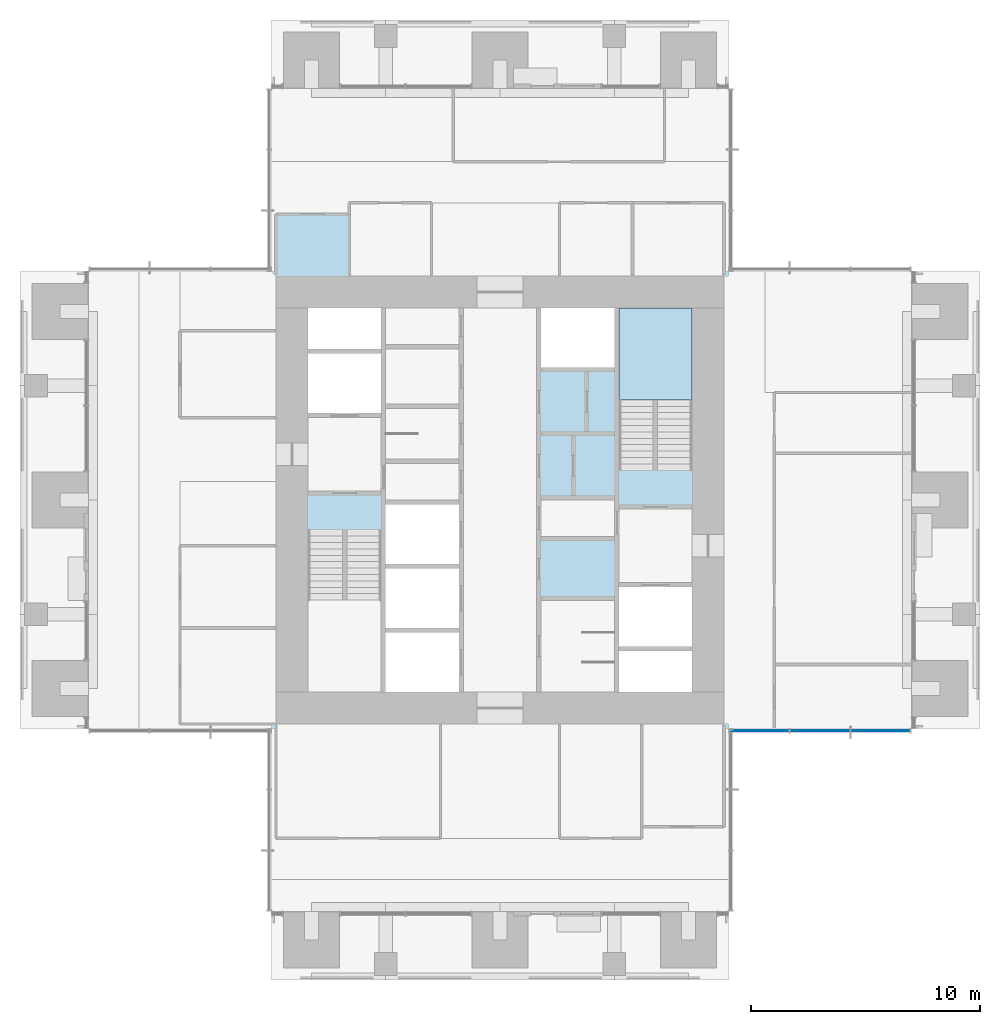
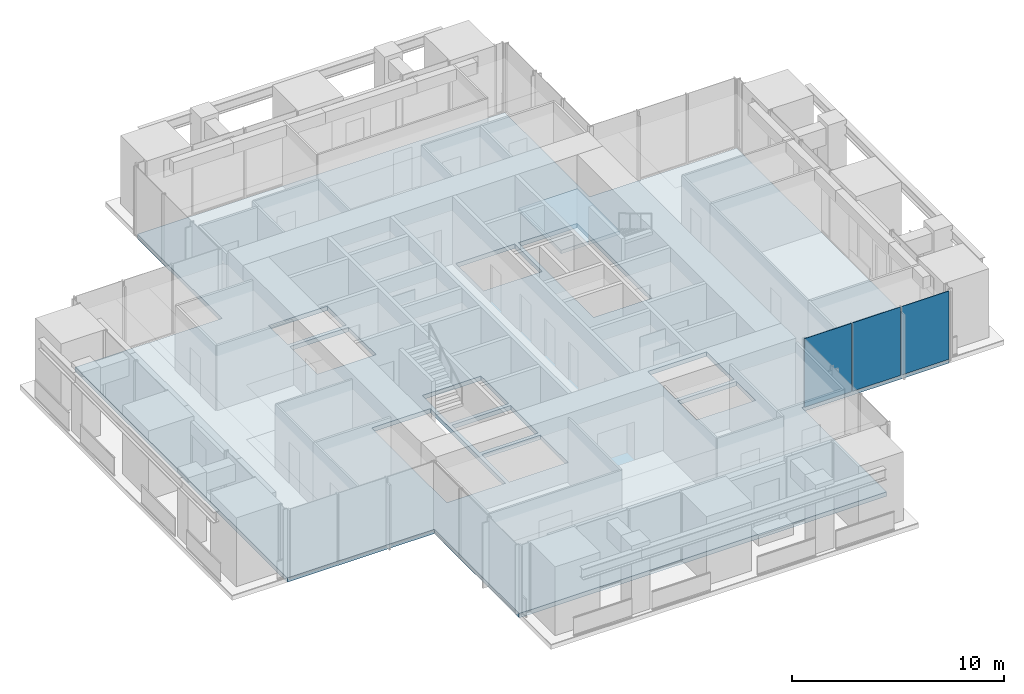
# One storey, part 9 of 17: 3 plates, 2 slabs, 2 elements without a shape of their own.
"""IFC4 building model written with IfcOpenShell, lengths in metres."""

from ifc_helpers import new_model, si_unit, direction, frame, origin, origin_2d, place, context, subcontext, project, spatial, polyline, rectangle, outline, extrude, material, layer, layer_set, type_object, element, aggregate, save


model = new_model("IFC4")

# Units and contexts
model_context = context("Model", 3, precision=1e-05, world=origin(), true_north=direction((0.0, 1.0)))
body_context = subcontext(model_context, "Body", "Model", "MODEL_VIEW")
ifc_project = project(units=[si_unit("LENGTHUNIT", "METRE"), si_unit("AREAUNIT", "SQUARE_METRE"), si_unit("VOLUMEUNIT", "CUBIC_METRE"), si_unit("PLANEANGLEUNIT", "RADIAN"), si_unit("MASSUNIT", "GRAM", prefix="KILO")], contexts=[model_context])

# Site, building, storey
site_placement = place(None, origin())
site = spatial("IfcSite", under=ifc_project, at=site_placement, CompositionType="ELEMENT")
building_placement = place(site_placement, origin())
building = spatial("IfcBuilding", under=site, at=building_placement, Name="Svetlomir Tower", CompositionType="ELEMENT")
storey_placement = place(building_placement, frame((0.0, 0.0, 178.5)))
storey = spatial("IfcBuildingStorey", under=building, at=storey_placement, Name="L42", CompositionType="ELEMENT", Elevation=178.5)

# Curtain wall, plates
ifc_material_1 = material(Name="Bronze anodised aluminium curtain wall", Category="aluminium")
curtain_wall_type = type_object("IfcCurtainWallType", Name="CURTAIN WALL CW1 TOWER OFFICE", PredefinedType="NOTDEFINED", material=ifc_material_1)
curtain_wall_placement = place(storey_placement, origin())
curtain_wall = element("IfcCurtainWall", 1, at=curtain_wall_placement, inside=storey, type_object=curtain_wall_type, Name="Curtain wall CW1 L42", PredefinedType="NOTDEFINED")
ifc_material_2 = material(Name="Tinted double glazed unit", Category="glass")
ifc_layer_1 = layer(ifc_material_2, 0.031982421875)
ifc_layer_set_1 = layer_set([ifc_layer_1], Name="Tinted double glazed unit")
plate_type = type_object("IfcPlateType", Name="CW1 GLAZED PANEL 32", PredefinedType="CURTAIN_PANEL", material=ifc_layer_set_1)
plate_1_placement = place(storey_placement, frame((32.349609375, 10.89990234375, 0.06494140625), z_axis=(0.0, 0.0, 1.0), x_axis=(1.0, 0.0, 0.0)))
plate_1 = element("IfcPlate", 2, at=plate_1_placement, type_object=plate_type, Name="CW1 panel 1.1", PredefinedType="CURTAIN_PANEL", context=body_context, shape_type="SweptSolid", body=[
    extrude(rectangle(XDim=2.569091796875, YDim=0.031982421875, at=origin_2d()), origin(), (0.0, 0.0, 1.0), 3.93505859375),
])
plate_2_placement = place(storey_placement, frame((35.0, 10.89990234375, 0.06494140625), z_axis=(0.0, 0.0, 1.0), x_axis=(1.0, 0.0, 0.0)))
plate_2 = element("IfcPlate", 3, at=plate_2_placement, type_object=plate_type, Name="CW1 panel 2.1", PredefinedType="CURTAIN_PANEL", context=body_context, shape_type="SweptSolid", body=[
    extrude(rectangle(XDim=2.6015625, YDim=0.031982421875, at=origin_2d()), origin(), (0.0, 0.0, 1.0), 3.93505859375),
])
plate_3_placement = place(storey_placement, frame((37.650390625, 10.89990234375, 0.06494140625), z_axis=(0.0, 0.0, 1.0), x_axis=(1.0, 0.0, 0.0)))
plate_3 = element("IfcPlate", 4, at=plate_3_placement, type_object=plate_type, Name="CW1 panel 3.1", PredefinedType="CURTAIN_PANEL", context=body_context, shape_type="SweptSolid", body=[
    extrude(rectangle(XDim=2.569091796875, YDim=0.031982421875, at=origin_2d()), origin(), (0.0, 0.0, 1.0), 3.93505859375),
])
aggregate(curtain_wall, [plate_1, plate_2, plate_3])

# Slab
ifc_material_3 = material(Name="Concrete C60/75", Category="concrete")
ifc_layer_2 = layer(ifc_material_3, 0.25)
ifc_layer_set_2 = layer_set([ifc_layer_2], Name="Concrete C60/75")
slab_type_1 = type_object("IfcSlabType", Name="FLOOR SLAB 250", PredefinedType="FLOOR", material=ifc_layer_set_2)
slab_1_placement = place(storey_placement, frame((0.0, 0.0, -0.25)))
element("IfcSlab", 5, at=slab_1_placement, inside=storey, type_object=slab_type_1, Name="L42 floor slab", PredefinedType="FLOOR", context=body_context, shape_type="SweptSolid", body=[
    extrude(outline(polyline([(11.0, 3.0), (31.0, 3.0), (31.0, 11.0), (39.0, 11.0), (39.0, 31.0), (31.0, 31.0), (31.0, 39.0), (11.0, 39.0), (11.0, 31.0), (3.0, 31.0), (3.0, 11.0), (11.0, 11.0), (11.0, 3.0)]), holes=[polyline([(12.60009765625, 24.800048828125), (15.800048828125, 24.800048828125), (15.800048828125, 27.39990234375), (12.60009765625, 27.39990234375), (12.60009765625, 24.800048828125)]), polyline([(26.199951171875, 14.60009765625), (29.39990234375, 14.60009765625), (29.39990234375, 17.199951171875), (26.199951171875, 17.199951171875), (26.199951171875, 14.60009765625)]), polyline([(16.0, 12.60009765625), (19.199951171875, 12.60009765625), (19.199951171875, 15.199951171875), (16.0, 15.199951171875), (16.0, 12.60009765625)]), polyline([(16.0, 15.39990234375), (19.199951171875, 15.39990234375), (19.199951171875, 18.0), (16.0, 18.0), (16.0, 15.39990234375)]), polyline([(16.0, 18.199951171875), (19.199951171875, 18.199951171875), (19.199951171875, 20.800048828125), (16.0, 20.800048828125), (16.0, 18.199951171875)]), polyline([(22.800048828125, 26.800048828125), (26.0, 26.800048828125), (26.0, 29.39990234375), (22.800048828125, 29.39990234375), (22.800048828125, 26.800048828125)]), polyline([(12.60009765625, 27.60009765625), (15.800048828125, 27.60009765625), (15.800048828125, 29.39990234375), (12.60009765625, 29.39990234375), (12.60009765625, 27.60009765625)]), polyline([(26.199951171875, 12.60009765625), (29.39990234375, 12.60009765625), (29.39990234375, 14.39990234375), (26.199951171875, 14.39990234375), (26.199951171875, 12.60009765625)]), polyline([(12.60009765625, 12.60009765625), (15.800048828125, 12.60009765625), (15.800048828125, 19.679931640625), (12.60009765625, 19.679931640625), (12.60009765625, 12.60009765625)]), polyline([(26.199951171875, 22.320068359375), (29.39990234375, 22.320068359375), (29.39990234375, 29.39990234375), (26.199951171875, 29.39990234375), (26.199951171875, 22.320068359375)])]), origin(), (0.0, 0.0, 1.0), 0.25),
])

# Stair, slab
ifc_material_4 = material(Name="Concrete C60/75", Category="concrete")
stair_type = type_object("IfcStairType", Name="EXIT STAIR 3200 RISE 4000", PredefinedType="HALF_TURN_STAIR", material=ifc_material_4)
stair_placement = place(storey_placement, origin())
stair = element("IfcStair", 6, at=stair_placement, inside=storey, type_object=stair_type, Name="Stair S2 L42 to L43", PredefinedType="HALF_TURN_STAIR")
ifc_material_5 = material(Name="Concrete C60/75", Category="concrete")
ifc_layer_3 = layer(ifc_material_5, 0.199951171875)
ifc_layer_set_3 = layer_set([ifc_layer_3], Name="Concrete C60/75")
slab_type_2 = type_object("IfcSlabType", Name="STAIR LANDING 200", PredefinedType="LANDING", material=ifc_layer_set_3)
slab_2_placement = place(storey_placement, frame((0.0, 0.0, 1.800048828125)))
slab_2 = element("IfcSlab", 7, at=slab_2_placement, type_object=slab_type_2, Name="S2 landing 1", PredefinedType="LANDING", context=body_context, shape_type="SweptSolid", body=[
    extrude(outline(polyline([(26.199951171875, 25.3798828125), (29.39990234375, 25.3798828125), (29.39990234375, 29.39990234375), (26.199951171875, 29.39990234375), (26.199951171875, 25.3798828125)])), origin(), (0.0, 0.0, 1.0), 0.199951171875),
])
aggregate(stair, [slab_2])

save(model, "model.ifc")
